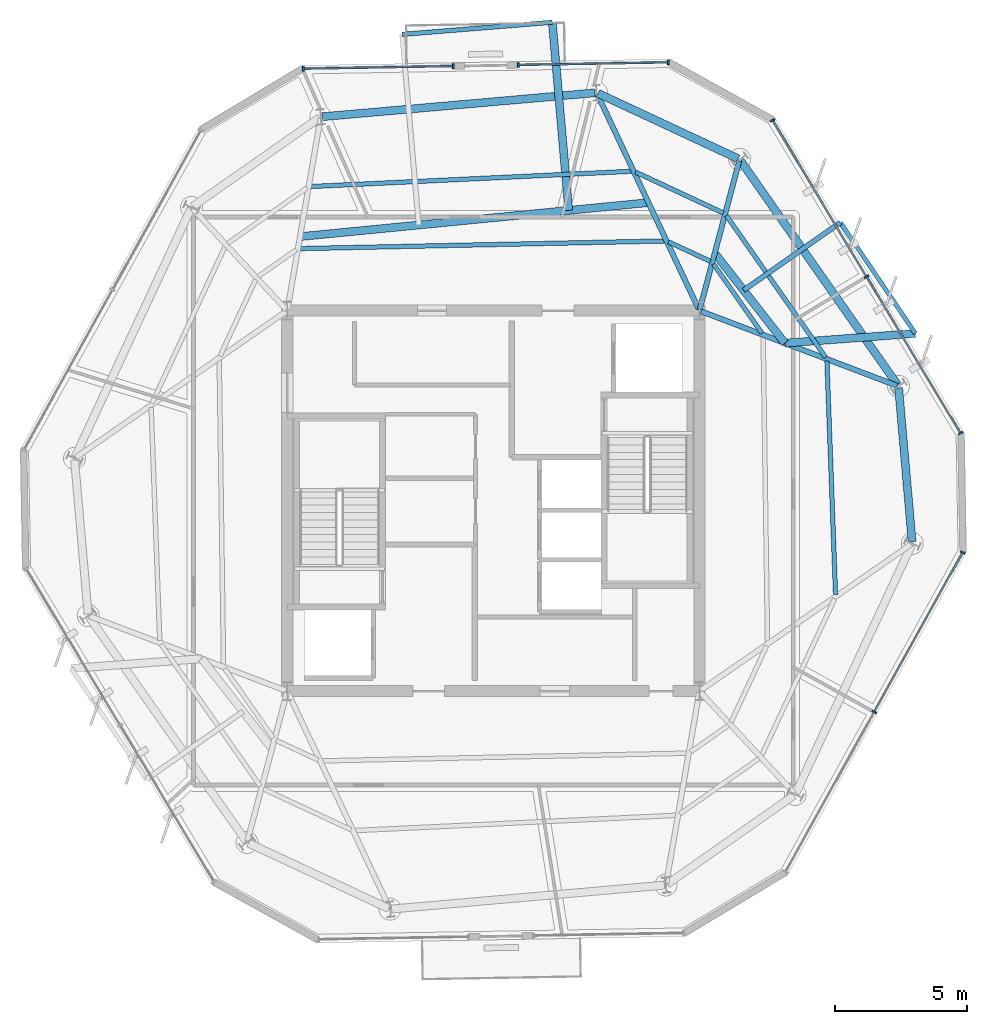
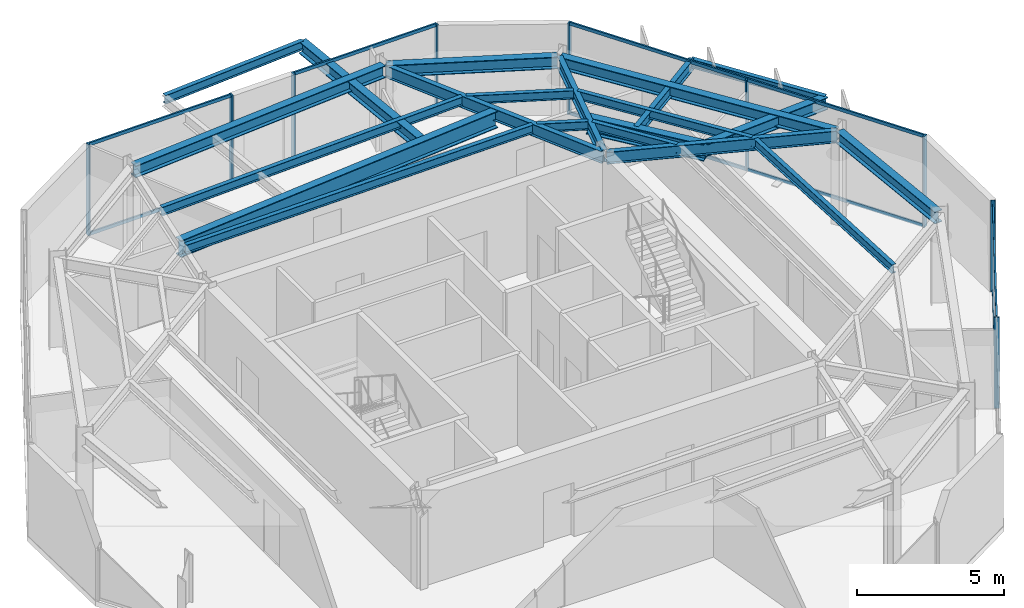
# One storey, part 5 of 12: 21 beams, 19 members, 4 elements without a shape of their own.
"""IFC4 building model written with IfcOpenShell, lengths in metres."""

from ifc_helpers import new_model, si_unit, direction, frame, origin, origin_2d, place, context, subcontext, project, spatial, rectangle, i_section, extrude, material, layer, layer_set, material_profile, profile_set, type_object, element, aggregate, save


model = new_model("IFC4")

# Units and contexts
model_context = context("Model", 3, precision=1e-05, world=origin(), true_north=direction((0.0, 1.0)))
body_context = subcontext(model_context, "Body", "Model", "MODEL_VIEW")
ifc_project = project(units=[si_unit("LENGTHUNIT", "METRE"), si_unit("AREAUNIT", "SQUARE_METRE"), si_unit("VOLUMEUNIT", "CUBIC_METRE"), si_unit("PLANEANGLEUNIT", "RADIAN"), si_unit("MASSUNIT", "GRAM", prefix="KILO")], contexts=[model_context])

# Site, building, storey
site_placement = place(None, origin())
site = spatial("IfcSite", under=ifc_project, at=site_placement, CompositionType="ELEMENT")
building_placement = place(site_placement, origin())
building = spatial("IfcBuilding", under=site, at=building_placement, Name="Kranzbogen Civic Tower", CompositionType="ELEMENT")
storey_placement = place(building_placement, frame((0.0, 0.0, 270.199951171875)))
storey = spatial("IfcBuildingStorey", under=building, at=storey_placement, Name="L65", CompositionType="ELEMENT", Elevation=270.199951171875)

# Beam
ifc_material_1 = material(Name="Steel S355", Category="steel")
ifc_material_profile_1 = material_profile(ifc_material_1, i_section(OverallWidth=0.18994140625, OverallDepth=0.449951171875, WebThickness=0.009521484375, FlangeThickness=0.0146484375, at=origin_2d()), Name="IPE 450")
ifc_profile_set_1 = profile_set([ifc_material_profile_1], Name="Steel S355")
beam_type_1 = type_object("IfcBeamType", Name="Braced Terrace Edge Beam IPE 450", PredefinedType="BEAM", material=ifc_profile_set_1)
beam_1_placement = place(storey_placement, frame((34.472900390625, 32.972900390625, 3.525146484375), z_axis=(0.819154945562, 0.573572292882, 0.0), x_axis=(-0.573572292882, 0.819154945562, 0.0)))
element("IfcBeam", 1, at=beam_1_placement, inside=storey, type_object=beam_type_1, Name="L66 back-spanned terrace beam L66-TB1-2", PredefinedType="BEAM", context=body_context, shape_type="SweptSolid", body=[
    extrude(i_section(OverallWidth=0.18994140625, OverallDepth=0.449951171875, WebThickness=0.009521484375, FlangeThickness=0.0146484375, at=origin_2d()), origin(), (0.0, 0.0, 1.0), 4.470703125),
])

# Curtain wall, members
ifc_material_2 = material(Name="Pale Anodised Aluminium", Category="aluminium")
ifc_layer = layer(ifc_material_2, 0.219970703125, Name="Pale Anodised Aluminium")
ifc_layer_set = layer_set([ifc_layer], Name="Pale Anodised Aluminium")
curtain_wall_type = type_object("IfcCurtainWallType", Name="Zone 4 Stick Curtain Wall System CW-05", PredefinedType="USERDEFINED", material=ifc_layer_set)
curtain_wall_1_placement = place(storey_placement, origin())
curtain_wall_1 = element("IfcCurtainWall", 2, at=curtain_wall_1_placement, inside=storey, type_object=curtain_wall_type, Name="L65 curtain wall CW-L65-F1-S1", ObjectType="STICK CURTAIN WALL", PredefinedType="USERDEFINED")
ifc_material_profile_2 = material_profile(ifc_material_2, rectangle(XDim=0.06494140625, YDim=0.179931640625, at=origin_2d()), Name="ALU-M 65x180")
ifc_profile_set_2 = profile_set([ifc_material_profile_2], Name="Pale Anodised Aluminium")
member_type_1 = type_object("IfcMemberType", Name="Curtain Wall Mullion ALU-M 65x180", PredefinedType="MULLION", material=ifc_profile_set_2)
member_1_placement = place(storey_placement, frame((31.617919921875, 41.597412109375, 0.0), z_axis=(0.0, 0.0, 1.0), x_axis=(-0.999848066783, -0.017431102978, 0.0)))
member_1 = element("IfcMember", 3, at=member_1_placement, type_object=member_type_1, Name="CW-05 mullion 1", PredefinedType="MULLION", context=body_context, shape_type="SweptSolid", body=[
    extrude(rectangle(XDim=0.06494140625, YDim=0.179931640625, at=origin_2d()), origin(), (0.0, 0.0, 1.0), 3.780029296875),
])
member_2_placement = place(storey_placement, frame((25.94189453125, 41.49853515625, 0.0), z_axis=(0.0, 0.0, 1.0), x_axis=(-0.999848066783, -0.017431102978, 0.0)))
member_2 = element("IfcMember", 4, at=member_2_placement, type_object=member_type_1, Name="CW-05 mullion 2", PredefinedType="MULLION", context=body_context, shape_type="SweptSolid", body=[
    extrude(rectangle(XDim=0.06494140625, YDim=0.179931640625, at=origin_2d()), origin(), (0.0, 0.0, 1.0), 3.780029296875),
])

curtain_wall_2_placement = place(storey_placement, origin())
curtain_wall_2 = element("IfcCurtainWall", 5, at=curtain_wall_2_placement, inside=storey, type_object=curtain_wall_type, Name="L65 curtain wall CW-L65-F1-S2", ObjectType="STICK CURTAIN WALL", PredefinedType="USERDEFINED")
member_3_placement = place(storey_placement, frame((23.48193359375, 41.45556640625, 0.0), z_axis=(0.0, 0.0, 1.0), x_axis=(-0.999848013805, -0.017434141484, 0.0)))
member_3 = element("IfcMember", 6, at=member_3_placement, type_object=member_type_1, Name="CW-05 mullion 1", PredefinedType="MULLION", context=body_context, shape_type="SweptSolid", body=[
    extrude(rectangle(XDim=0.06494140625, YDim=0.179931640625, at=origin_2d()), origin(), (0.0, 0.0, 1.0), 3.780029296875),
])
member_4_placement = place(storey_placement, frame((17.806884765625, 41.3564453125, 0.0), z_axis=(0.0, 0.0, 1.0), x_axis=(-0.999848013805, -0.017434141484, 0.0)))
member_4 = element("IfcMember", 7, at=member_4_placement, type_object=member_type_1, Name="CW-05 mullion 2", PredefinedType="MULLION", context=body_context, shape_type="SweptSolid", body=[
    extrude(rectangle(XDim=0.06494140625, YDim=0.179931640625, at=origin_2d()), origin(), (0.0, 0.0, 1.0), 3.780029296875),
])

curtain_wall_3_placement = place(storey_placement, origin())
curtain_wall_3 = element("IfcCurtainWall", 8, at=curtain_wall_3_placement, inside=storey, type_object=curtain_wall_type, Name="L65 curtain wall CW-L65-F5", ObjectType="STICK CURTAIN WALL", PredefinedType="USERDEFINED")
member_5_placement = place(storey_placement, frame((39.4130859375, 17.010498046875, 0.0), z_axis=(0.0, 0.0, 1.0), x_axis=(0.484840955853, 0.874602336795, 0.0)))
member_5 = element("IfcMember", 9, at=member_5_placement, type_object=member_type_1, Name="CW-05 mullion 2", PredefinedType="MULLION", context=body_context, shape_type="SweptSolid", body=[
    extrude(rectangle(XDim=0.06494140625, YDim=0.179931640625, at=origin_2d()), origin(), (0.0, 0.0, 1.0), 3.780029296875),
])
member_6_placement = place(storey_placement, frame((42.761474609375, 23.05078125, 0.0), z_axis=(0.0, 0.0, 1.0), x_axis=(0.484840955853, 0.874602336795, 0.0)))
member_6 = element("IfcMember", 10, at=member_6_placement, type_object=member_type_1, Name="CW-05 mullion 3", PredefinedType="MULLION", context=body_context, shape_type="SweptSolid", body=[
    extrude(rectangle(XDim=0.06494140625, YDim=0.179931640625, at=origin_2d()), origin(), (0.0, 0.0, 1.0), 3.780029296875),
])

curtain_wall_4_placement = place(storey_placement, origin())
curtain_wall_4 = element("IfcCurtainWall", 11, at=curtain_wall_4_placement, inside=storey, type_object=curtain_wall_type, Name="L65 curtain wall CW-L65-F6", ObjectType="STICK CURTAIN WALL", PredefinedType="USERDEFINED")
member_7_placement = place(storey_placement, frame((42.6826171875, 27.567626953125, 0.0), z_axis=(0.0, 0.0, 1.0), x_axis=(-0.515046886883, 0.857162005873, 0.0)))
member_7 = element("IfcMember", 12, at=member_7_placement, type_object=member_type_1, Name="CW-05 mullion 1", PredefinedType="MULLION", context=body_context, shape_type="SweptSolid", body=[
    extrude(rectangle(XDim=0.06494140625, YDim=0.179931640625, at=origin_2d()), origin(), (0.0, 0.0, 1.0), 3.780029296875),
])
member_8_placement = place(storey_placement, frame((39.12548828125, 33.487548828125, 0.0), z_axis=(0.0, 0.0, 1.0), x_axis=(-0.515046886883, 0.857162005873, 0.0)))
member_8 = element("IfcMember", 13, at=member_8_placement, type_object=member_type_1, Name="CW-05 mullion 2", PredefinedType="MULLION", context=body_context, shape_type="SweptSolid", body=[
    extrude(rectangle(XDim=0.06494140625, YDim=0.179931640625, at=origin_2d()), origin(), (0.0, 0.0, 1.0), 3.780029296875),
])
member_9_placement = place(storey_placement, frame((35.568359375, 39.4072265625, 0.0), z_axis=(0.0, 0.0, 1.0), x_axis=(-0.515046886883, 0.857162005873, 0.0)))
member_9 = element("IfcMember", 14, at=member_9_placement, type_object=member_type_1, Name="CW-05 mullion 3", PredefinedType="MULLION", context=body_context, shape_type="SweptSolid", body=[
    extrude(rectangle(XDim=0.06494140625, YDim=0.179931640625, at=origin_2d()), origin(), (0.0, 0.0, 1.0), 3.780029296875),
])

# Member
ifc_material_profile_3 = material_profile(ifc_material_2, rectangle(XDim=0.06494140625, YDim=0.135009765625, at=origin_2d()), Name="ALU-T 65x135")
ifc_profile_set_3 = profile_set([ifc_material_profile_3], Name="Pale Anodised Aluminium")
member_type_2 = type_object("IfcMemberType", Name="Curtain Wall Transom ALU-T 65x135", PredefinedType="USERDEFINED", material=ifc_profile_set_3)
member_10_placement = place(storey_placement, frame((31.587890625, 41.596923828125, 0.030029296875), z_axis=(-0.999848088441, -0.017429860604, 0.0), x_axis=(0.017429860604, -0.999848088441, 0.0)))
member_10 = element("IfcMember", 15, at=member_10_placement, type_object=member_type_2, Name="CW-05 transom 1.1", ObjectType="TRANSOM", PredefinedType="USERDEFINED", context=body_context, shape_type="SweptSolid", body=[
    extrude(rectangle(XDim=0.06494140625, YDim=0.135009765625, at=origin_2d()), origin(), (0.0, 0.0, 1.0), 5.61669921875),
])

member_11_placement = place(storey_placement, frame((31.587890625, 41.596923828125, 3.75), z_axis=(-0.999848088441, -0.017429860604, 0.0), x_axis=(0.017429860604, -0.999848088441, 0.0)))
member_11 = element("IfcMember", 16, at=member_11_placement, type_object=member_type_2, Name="CW-05 transom 1.2", ObjectType="TRANSOM", PredefinedType="USERDEFINED", context=body_context, shape_type="SweptSolid", body=[
    extrude(rectangle(XDim=0.06494140625, YDim=0.135009765625, at=origin_2d()), origin(), (0.0, 0.0, 1.0), 5.61669921875),
])

aggregate(curtain_wall_1, [member_1, member_2, member_10, member_11])

member_12_placement = place(storey_placement, frame((23.451904296875, 41.454833984375, 0.030029296875), z_axis=(-0.999848035607, -0.017432891094, 0.0), x_axis=(0.017432891094, -0.999848035607, 0.0)))
member_12 = element("IfcMember", 17, at=member_12_placement, type_object=member_type_2, Name="CW-05 transom 1.1", ObjectType="TRANSOM", PredefinedType="USERDEFINED", context=body_context, shape_type="SweptSolid", body=[
    extrude(rectangle(XDim=0.06494140625, YDim=0.135009765625, at=origin_2d()), origin(), (0.0, 0.0, 1.0), 5.61572265625),
])

member_13_placement = place(storey_placement, frame((23.451904296875, 41.454833984375, 3.75), z_axis=(-0.999848035607, -0.017432891094, 0.0), x_axis=(0.017432891094, -0.999848035607, 0.0)))
member_13 = element("IfcMember", 18, at=member_13_placement, type_object=member_type_2, Name="CW-05 transom 1.2", ObjectType="TRANSOM", PredefinedType="USERDEFINED", context=body_context, shape_type="SweptSolid", body=[
    extrude(rectangle(XDim=0.06494140625, YDim=0.135009765625, at=origin_2d()), origin(), (0.0, 0.0, 1.0), 5.61572265625),
])

aggregate(curtain_wall_2, [member_3, member_4, member_12, member_13])

member_14_placement = place(storey_placement, frame((39.427490234375, 17.03662109375, 0.030029296875), z_axis=(0.484837340713, 0.87460434086, 0.0), x_axis=(-0.87460434086, 0.484837340713, 0.0)))
member_14 = element("IfcMember", 19, at=member_14_placement, type_object=member_type_2, Name="CW-05 transom 2.1", ObjectType="TRANSOM", PredefinedType="USERDEFINED", context=body_context, shape_type="SweptSolid", body=[
    extrude(rectangle(XDim=0.06494140625, YDim=0.135009765625, at=origin_2d()), origin(), (0.0, 0.0, 1.0), 6.84619140625),
])

member_15_placement = place(storey_placement, frame((39.427490234375, 17.03662109375, 3.75), z_axis=(0.484837340713, 0.87460434086, 0.0), x_axis=(-0.87460434086, 0.484837340713, 0.0)))
member_15 = element("IfcMember", 20, at=member_15_placement, type_object=member_type_2, Name="CW-05 transom 2.2", ObjectType="TRANSOM", PredefinedType="USERDEFINED", context=body_context, shape_type="SweptSolid", body=[
    extrude(rectangle(XDim=0.06494140625, YDim=0.135009765625, at=origin_2d()), origin(), (0.0, 0.0, 1.0), 6.84619140625),
])

aggregate(curtain_wall_3, [member_5, member_6, member_14, member_15])

member_16_placement = place(storey_placement, frame((42.6669921875, 27.593505859375, 0.030029296875), z_axis=(-0.515056786996, 0.857156057068, 0.0), x_axis=(-0.857156057068, -0.515056786996, 0.0)))
member_16 = element("IfcMember", 21, at=member_16_placement, type_object=member_type_2, Name="CW-05 transom 1.1", ObjectType="TRANSOM", PredefinedType="USERDEFINED", context=body_context, shape_type="SweptSolid", body=[
    extrude(rectangle(XDim=0.06494140625, YDim=0.135009765625, at=origin_2d()), origin(), (0.0, 0.0, 1.0), 6.84619140625),
])

member_17_placement = place(storey_placement, frame((42.6669921875, 27.593505859375, 3.75), z_axis=(-0.515056786996, 0.857156057068, 0.0), x_axis=(-0.857156057068, -0.515056786996, 0.0)))
member_17 = element("IfcMember", 22, at=member_17_placement, type_object=member_type_2, Name="CW-05 transom 1.2", ObjectType="TRANSOM", PredefinedType="USERDEFINED", context=body_context, shape_type="SweptSolid", body=[
    extrude(rectangle(XDim=0.06494140625, YDim=0.135009765625, at=origin_2d()), origin(), (0.0, 0.0, 1.0), 6.84619140625),
])

member_18_placement = place(storey_placement, frame((39.110107421875, 33.51318359375, 0.030029296875), z_axis=(-0.515041043476, 0.857165517001, 0.0), x_axis=(-0.857165517001, -0.515041043476, 0.0)))
member_18 = element("IfcMember", 23, at=member_18_placement, type_object=member_type_2, Name="CW-05 transom 2.1", ObjectType="TRANSOM", PredefinedType="USERDEFINED", context=body_context, shape_type="SweptSolid", body=[
    extrude(rectangle(XDim=0.06494140625, YDim=0.135009765625, at=origin_2d()), origin(), (0.0, 0.0, 1.0), 6.84619140625),
])

member_19_placement = place(storey_placement, frame((39.110107421875, 33.51318359375, 3.75), z_axis=(-0.515041043476, 0.857165517001, 0.0), x_axis=(-0.857165517001, -0.515041043476, 0.0)))
member_19 = element("IfcMember", 24, at=member_19_placement, type_object=member_type_2, Name="CW-05 transom 2.2", ObjectType="TRANSOM", PredefinedType="USERDEFINED", context=body_context, shape_type="SweptSolid", body=[
    extrude(rectangle(XDim=0.06494140625, YDim=0.135009765625, at=origin_2d()), origin(), (0.0, 0.0, 1.0), 6.84619140625),
])

aggregate(curtain_wall_4, [member_7, member_8, member_9, member_16, member_17, member_18, member_19])

# Beams
ifc_material_profile_4 = material_profile(ifc_material_1, i_section(OverallWidth=0.300048828125, OverallDepth=0.5, WebThickness=0.014404296875, FlangeThickness=0.028076171875, at=origin_2d()), Name="HEB 500")
ifc_profile_set_4 = profile_set([ifc_material_profile_4], Name="Steel S355")
beam_type_2 = type_object("IfcBeamType", Name="Perimeter Tube Spandrel Beam HEB 500", PredefinedType="SPANDREL", material=ifc_profile_set_4)
beam_2_placement = place(storey_placement, frame((40.85009765625, 23.449951171875, 3.530029296875), z_axis=(-0.087326362434, 0.99617975608, 0.0), x_axis=(-0.99617975608, -0.087326362434, 0.0)))
element("IfcBeam", 25, at=beam_2_placement, inside=storey, type_object=beam_type_2, Name="L65 perimeter spandrel beam 06", PredefinedType="SPANDREL", context=body_context, shape_type="SweptSolid", body=[
    extrude(i_section(OverallWidth=0.300048828125, OverallDepth=0.5, WebThickness=0.014404296875, FlangeThickness=0.028076171875, at=origin_2d()), origin(), (0.0, 0.0, 1.0), 5.8515625),
])
beam_3_placement = place(storey_placement, frame((40.300048828125, 29.387939453125, 3.530029296875), z_axis=(-0.573577759301, 0.819151117948, 0.0), x_axis=(-0.819151117948, -0.573577759301, 0.0)))
element("IfcBeam", 26, at=beam_3_placement, inside=storey, type_object=beam_type_2, Name="L65 perimeter spandrel beam 07", PredefinedType="SPANDREL", context=body_context, shape_type="SweptSolid", body=[
    extrude(i_section(OverallWidth=0.300048828125, OverallDepth=0.5, WebThickness=0.014404296875, FlangeThickness=0.028076171875, at=origin_2d()), origin(), (0.0, 0.0, 1.0), 10.36328125),
])
beam_4_placement = place(storey_placement, frame((34.26806640625, 37.950927734375, 3.530029296875), z_axis=(-0.906289661556, 0.422657129784, 0.0), x_axis=(-0.422657129784, -0.906289661556, 0.0)))
element("IfcBeam", 27, at=beam_4_placement, inside=storey, type_object=beam_type_2, Name="L65 perimeter spandrel beam 08", PredefinedType="SPANDREL", context=body_context, shape_type="SweptSolid", body=[
    extrude(i_section(OverallWidth=0.300048828125, OverallDepth=0.5, WebThickness=0.014404296875, FlangeThickness=0.028076171875, at=origin_2d()), origin(), (0.0, 0.0, 1.0), 5.853759765625),
])
beam_5_placement = place(storey_placement, frame((28.84912109375, 40.445068359375, 3.530029296875), z_axis=(-0.996186373839, -0.087250837114, 0.0), x_axis=(0.087250837114, -0.996186373839, 0.0)))
element("IfcBeam", 28, at=beam_5_placement, inside=storey, type_object=beam_type_2, Name="L65 perimeter spandrel beam 09", PredefinedType="SPANDREL", context=body_context, shape_type="SweptSolid", body=[
    extrude(i_section(OverallWidth=0.300048828125, OverallDepth=0.5, WebThickness=0.014404296875, FlangeThickness=0.028076171875, at=origin_2d()), origin(), (0.0, 0.0, 1.0), 10.361572265625),
])
beam_6_placement = place(storey_placement, frame((36.033935546875, 30.971923828125, 3.5), z_axis=(0.997279446419, 0.073713674102, 0.0), x_axis=(-0.073713674102, 0.997279446419, 0.0)))
element("IfcBeam", 29, at=beam_6_placement, inside=storey, type_object=beam_type_2, Name="L66 back-spanned terrace beam L66-TB1-1", PredefinedType="SPANDREL", context=body_context, shape_type="SweptSolid", body=[
    extrude(i_section(OverallWidth=0.300048828125, OverallDepth=0.5, WebThickness=0.014404296875, FlangeThickness=0.028076171875, at=origin_2d()), origin(), (0.0, 0.0, 1.0), 4.951416015625),
])
beam_7_placement = place(storey_placement, frame((27.85400390625, 35.99609375, 3.469970703125), z_axis=(-0.087163137056, 0.996194051146, 0.0), x_axis=(-0.996194051146, -0.087163137056, 0.0)))
element("IfcBeam", 30, at=beam_7_placement, inside=storey, type_object=beam_type_2, Name="L66 back-spanned terrace beam L66-ST-1", PredefinedType="SPANDREL", context=body_context, shape_type="SweptSolid", body=[
    extrude(i_section(OverallWidth=0.300048828125, OverallDepth=0.5, WebThickness=0.014404296875, FlangeThickness=0.028076171875, at=origin_2d()), origin(), (0.0, 0.0, 1.0), 7.14794921875),
])
ifc_material_profile_5 = material_profile(ifc_material_1, i_section(OverallWidth=0.300048828125, OverallDepth=0.699951171875, WebThickness=0.01708984375, FlangeThickness=0.031982421875, at=origin_2d()), Name="HEB 700")
ifc_profile_set_5 = profile_set([ifc_material_profile_5], Name="Steel S355")
beam_type_3 = type_object("IfcBeamType", Name="Perimeter Tube Spandrel Beam HEB 700", PredefinedType="SPANDREL", material=ifc_profile_set_5)
beam_8_placement = place(storey_placement, frame((36.033935546875, 30.971923828125, 3.400146484375), z_axis=(-0.615153431403, 0.788407417414, 0.0), x_axis=(-0.788407417414, -0.615153431403, 0.0)))
element("IfcBeam", 31, at=beam_8_placement, inside=storey, type_object=beam_type_3, Name="L66 balcony back-span header girder L66-TB1", PredefinedType="SPANDREL", context=body_context, shape_type="SweptSolid", body=[
    extrude(i_section(OverallWidth=0.300048828125, OverallDepth=0.699951171875, WebThickness=0.01708984375, FlangeThickness=0.031982421875, at=origin_2d()), origin(), (0.0, 0.0, 1.0), 4.317626953125),
])
beam_9_placement = place(storey_placement, frame((30.87109375, 36.2900390625, 3.3701171875), z_axis=(-0.995270463506, -0.097142701589, 0.0), x_axis=(0.097142701589, -0.995270463506, 0.0)))
element("IfcBeam", 32, at=beam_9_placement, inside=storey, type_object=beam_type_3, Name="L66 balcony back-span header girder L66-ST", PredefinedType="SPANDREL", context=body_context, shape_type="SweptSolid", body=[
    extrude(i_section(OverallWidth=0.300048828125, OverallDepth=0.699951171875, WebThickness=0.01708984375, FlangeThickness=0.031982421875, at=origin_2d()), origin(), (0.0, 0.0, 1.0), 13.249755859375),
])
ifc_material_profile_6 = material_profile(ifc_material_1, i_section(OverallWidth=0.199951171875, OverallDepth=0.5, WebThickness=0.01025390625, FlangeThickness=0.01611328125, at=origin_2d()), Name="IPE 500")
ifc_profile_set_6 = profile_set([ifc_material_profile_6], Name="Steel S355")
beam_type_4 = type_object("IfcBeamType", Name="Radial Tower Floor Girder IPE 500", PredefinedType="BEAM", material=ifc_profile_set_6)
beam_10_placement = place(storey_placement, frame((40.278076171875, 29.360107421875, 3.530029296875), z_axis=(-0.934848709689, 0.355046320913, 0.0), x_axis=(-0.355046320913, -0.934848709689, 0.0)))
element("IfcBeam", 33, at=beam_10_placement, inside=storey, type_object=beam_type_4, Name="L65 radial floor girder 07", PredefinedType="BEAM", context=body_context, shape_type="SweptSolid", body=[
    extrude(i_section(OverallWidth=0.199951171875, OverallDepth=0.5, WebThickness=0.01025390625, FlangeThickness=0.01611328125, at=origin_2d()), origin(), (0.0, 0.0, 1.0), 7.939453125),
])
beam_11_placement = place(storey_placement, frame((34.306884765625, 37.867919921875, 3.530029296875), z_axis=(-0.257016017622, -0.966407143333, 0.0), x_axis=(0.966407143333, -0.257016017622, 0.0)))
element("IfcBeam", 34, at=beam_11_placement, inside=storey, type_object=beam_type_4, Name="L65 radial floor girder 08", PredefinedType="BEAM", context=body_context, shape_type="SweptSolid", body=[
    extrude(i_section(OverallWidth=0.199951171875, OverallDepth=0.5, WebThickness=0.01025390625, FlangeThickness=0.01611328125, at=origin_2d()), origin(), (0.0, 0.0, 1.0), 5.804931640625),
])
beam_12_placement = place(storey_placement, frame((28.93505859375, 40.39599609375, 3.530029296875), z_axis=(0.426460441273, -0.904506214478, 0.0), x_axis=(0.904506214478, 0.426460441273, 0.0)))
element("IfcBeam", 35, at=beam_12_placement, inside=storey, type_object=beam_type_4, Name="L65 radial floor girder 09", PredefinedType="BEAM", context=body_context, shape_type="SweptSolid", body=[
    extrude(i_section(OverallWidth=0.199951171875, OverallDepth=0.5, WebThickness=0.01025390625, FlangeThickness=0.01611328125, at=origin_2d()), origin(), (0.0, 0.0, 1.0), 9.001708984375),
])
ifc_material_profile_7 = material_profile(ifc_material_1, i_section(OverallWidth=0.169921875, OverallDepth=0.360107421875, WebThickness=0.008056640625, FlangeThickness=0.0126953125, at=origin_2d()), Name="IPE 360")
ifc_profile_set_7 = profile_set([ifc_material_profile_7], Name="Steel S355")
beam_type_5 = type_object("IfcBeamType", Name="Secondary Composite Floor Joist IPE 360", PredefinedType="JOIST", material=ifc_profile_set_7)
beam_13_placement = place(storey_placement, frame((37.951904296875, 21.4580078125, 3.60009765625), z_axis=(-0.036992246074, 0.999315552631, 0.0), x_axis=(-0.999315552631, -0.036992246074, 0.0)))
element("IfcBeam", 36, at=beam_13_placement, inside=storey, type_object=beam_type_5, Name="L65 secondary floor joist 1.06", PredefinedType="JOIST", context=body_context, shape_type="SweptSolid", body=[
    extrude(i_section(OverallWidth=0.169921875, OverallDepth=0.360107421875, WebThickness=0.008056640625, FlangeThickness=0.0126953125, at=origin_2d()), origin(), (0.0, 0.0, 1.0), 8.837158203125),
])
beam_14_placement = place(storey_placement, frame((37.575927734375, 30.43408203125, 3.60009765625), z_axis=(-0.573499872939, 0.819205649235, 0.0), x_axis=(-0.819205649235, -0.573499872939, 0.0)))
element("IfcBeam", 37, at=beam_14_placement, inside=storey, type_object=beam_type_5, Name="L65 secondary floor joist 1.07", PredefinedType="JOIST", context=body_context, shape_type="SweptSolid", body=[
    extrude(i_section(OverallWidth=0.169921875, OverallDepth=0.360107421875, WebThickness=0.008056640625, FlangeThickness=0.0126953125, at=origin_2d()), origin(), (0.0, 0.0, 1.0), 6.549072265625),
])
beam_15_placement = place(storey_placement, frame((35.1650390625, 31.35009765625, 3.60009765625), z_axis=(-0.573498248491, 0.819206786457, 0.0), x_axis=(-0.819206786457, -0.573498248491, 0.0)))
element("IfcBeam", 38, at=beam_15_placement, inside=storey, type_object=beam_type_5, Name="L65 secondary floor joist 2.07", PredefinedType="JOIST", context=body_context, shape_type="SweptSolid", body=[
    extrude(i_section(OverallWidth=0.169921875, OverallDepth=0.360107421875, WebThickness=0.008056640625, FlangeThickness=0.0126953125, at=origin_2d()), origin(), (0.0, 0.0, 1.0), 3.194580078125),
])
beam_16_placement = place(storey_placement, frame((33.701904296875, 35.89794921875, 3.60009765625), z_axis=(-0.906303996948, 0.422626389517, 0.0), x_axis=(-0.422626389517, -0.906303996948, 0.0)))
element("IfcBeam", 39, at=beam_16_placement, inside=storey, type_object=beam_type_5, Name="L65 secondary floor joist 1.08", PredefinedType="JOIST", context=body_context, shape_type="SweptSolid", body=[
    extrude(i_section(OverallWidth=0.169921875, OverallDepth=0.360107421875, WebThickness=0.008056640625, FlangeThickness=0.0126953125, at=origin_2d()), origin(), (0.0, 0.0, 1.0), 3.6630859375),
])
beam_17_placement = place(storey_placement, frame((33.215087890625, 34.06591796875, 3.60009765625), z_axis=(-0.906432174342, 0.422351409751, 0.0), x_axis=(-0.422351409751, -0.906432174342, 0.0)))
element("IfcBeam", 40, at=beam_17_placement, inside=storey, type_object=beam_type_5, Name="L65 secondary floor joist 2.08", PredefinedType="JOIST", context=body_context, shape_type="SweptSolid", body=[
    extrude(i_section(OverallWidth=0.169921875, OverallDepth=0.360107421875, WebThickness=0.008056640625, FlangeThickness=0.0126953125, at=origin_2d()), origin(), (0.0, 0.0, 1.0), 1.751953125),
])
beam_18_placement = place(storey_placement, frame((30.22998046875, 37.47607421875, 3.60009765625), z_axis=(-0.998871634781, -0.047491654324, 0.0), x_axis=(0.047491654324, -0.998871634781, 0.0)))
element("IfcBeam", 41, at=beam_18_placement, inside=storey, type_object=beam_type_5, Name="L65 secondary floor joist 1.09", PredefinedType="JOIST", context=body_context, shape_type="SweptSolid", body=[
    extrude(i_section(OverallWidth=0.169921875, OverallDepth=0.360107421875, WebThickness=0.008056640625, FlangeThickness=0.0126953125, at=origin_2d()), origin(), (0.0, 0.0, 1.0), 12.152587890625),
])
beam_19_placement = place(storey_placement, frame((31.47509765625, 34.837890625, 3.60009765625), z_axis=(-0.999780746893, -0.020939392104, 0.0), x_axis=(0.020939392104, -0.999780746893, 0.0)))
element("IfcBeam", 42, at=beam_19_placement, inside=storey, type_object=beam_type_5, Name="L65 secondary floor joist 2.09", PredefinedType="JOIST", context=body_context, shape_type="SweptSolid", body=[
    extrude(i_section(OverallWidth=0.169921875, OverallDepth=0.360107421875, WebThickness=0.008056640625, FlangeThickness=0.0126953125, at=origin_2d()), origin(), (0.0, 0.0, 1.0), 13.79296875),
])
beam_20_placement = place(storey_placement, frame((40.971923828125, 31.3369140625, 3.570068359375), z_axis=(-0.559714396069, 0.828685582614, 0.0), x_axis=(-0.828685582614, -0.559714396069, 0.0)))
element("IfcBeam", 43, at=beam_20_placement, inside=storey, type_object=beam_type_5, Name="L66 terrace outer edge trimmer L66-TB1", PredefinedType="JOIST", context=body_context, shape_type="SweptSolid", body=[
    extrude(i_section(OverallWidth=0.169921875, OverallDepth=0.360107421875, WebThickness=0.008056640625, FlangeThickness=0.0126953125, at=origin_2d()), origin(), (0.0, 0.0, 1.0), 5.068603515625),
])
beam_21_placement = place(storey_placement, frame((27.23095703125, 43.116943359375, 3.5400390625), z_axis=(-0.996729234486, -0.080813570158, 0.0), x_axis=(0.080813570158, -0.996729234486, 0.0)))
element("IfcBeam", 44, at=beam_21_placement, inside=storey, type_object=beam_type_5, Name="L66 terrace outer edge trimmer L66-ST", PredefinedType="JOIST", context=body_context, shape_type="SweptSolid", body=[
    extrude(i_section(OverallWidth=0.169921875, OverallDepth=0.360107421875, WebThickness=0.008056640625, FlangeThickness=0.0126953125, at=origin_2d()), origin(), (0.0, 0.0, 1.0), 5.70361328125),
])

save(model, "model.ifc")
